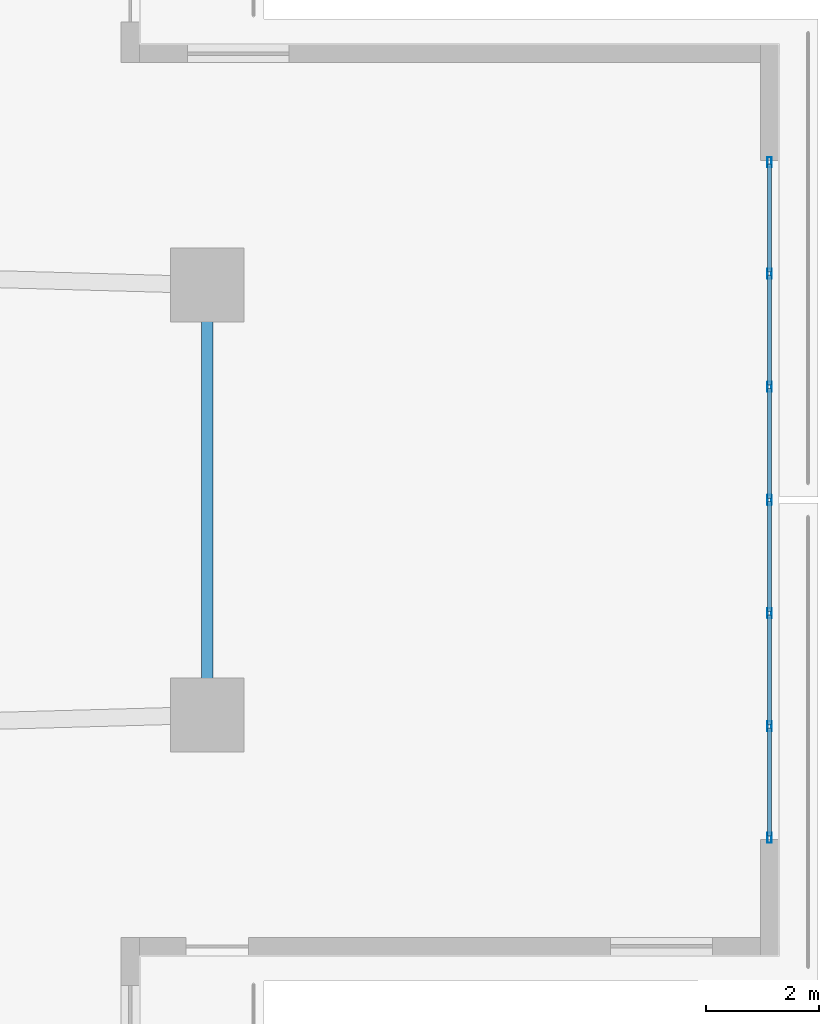
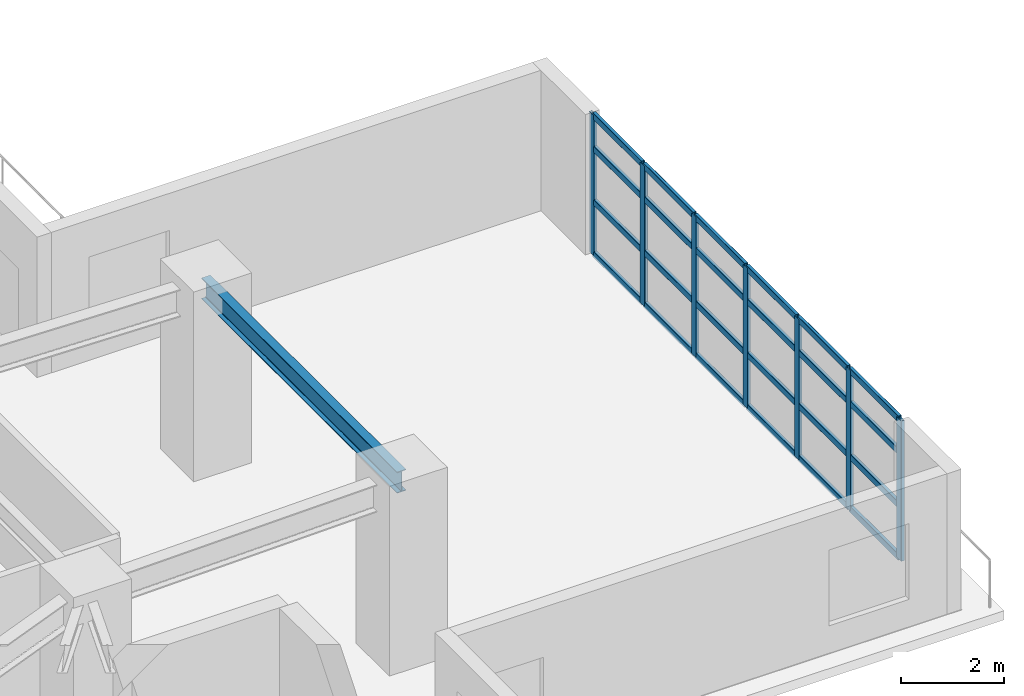
# One storey, part 11 of 24: 31 members, 1 beam, 1 element without a shape of its own.
"""IFC4 building model written with IfcOpenShell, lengths in metres."""

from ifc_helpers import new_model, si_unit, direction, frame, origin, origin_2d, place, context, subcontext, project, spatial, hollow_rectangle, i_section, extrude, material, layer, layer_set, material_profile, profile_set, type_object, element, aggregate, save


model = new_model("IFC4")

# Units and contexts
model_context = context("Model", 3, precision=1e-05, world=origin(), true_north=direction((0.0, 1.0)))
body_context = subcontext(model_context, "Body", "Model", "MODEL_VIEW")
ifc_project = project(units=[si_unit("LENGTHUNIT", "METRE"), si_unit("AREAUNIT", "SQUARE_METRE"), si_unit("VOLUMEUNIT", "CUBIC_METRE"), si_unit("PLANEANGLEUNIT", "RADIAN"), si_unit("MASSUNIT", "GRAM", prefix="KILO")], contexts=[model_context])

# Site, building, storey
site_placement = place(None, origin())
site = spatial("IfcSite", under=ifc_project, at=site_placement, CompositionType="ELEMENT")
building_placement = place(site_placement, origin())
building = spatial("IfcBuilding", under=site, at=building_placement, Name="Qingluan Cross Belvedere", CompositionType="ELEMENT")
storey_placement = place(building_placement, frame((0.0, 0.0, 14.699951171875)))
storey = spatial("IfcBuildingStorey", under=building, at=storey_placement, Name="L04", CompositionType="ELEMENT", Elevation=14.699951171875)

# Curtain wall, members
ifc_material_1 = material(Name="Thermally broken aluminium and Low-E glass", Category="aluminium")
ifc_layer = layer(ifc_material_1, 0.219970703125, Name="UnitisedCW_BallroomFoyer")
ifc_layer_set = layer_set([ifc_layer], Name="Thermally broken aluminium and Low-E glass")
curtain_wall_type = type_object("IfcCurtainWallType", Name="UnitisedCW_BallroomFoyer", PredefinedType="USERDEFINED", material=ifc_layer_set)
curtain_wall_placement = place(storey_placement, origin())
curtain_wall = element("IfcCurtainWall", 1, at=curtain_wall_placement, inside=storey, type_object=curtain_wall_type, Name="UnitisedCW_BallroomFoyer run env:cw:L04:E", ObjectType="UNITISED CURTAIN WALL", PredefinedType="USERDEFINED")
ifc_material_2 = material(Name="Aluminium alloy 6063-T6", Category="aluminium")
ifc_material_profile_1 = material_profile(ifc_material_2, hollow_rectangle(XDim=0.074951171875, YDim=0.179931640625, WallThickness=0.00390625, InnerFilletRadius=0.00390625, OuterFilletRadius=0.008056640625, at=origin_2d()), Name="CWM180x75x4")
ifc_profile_set_1 = profile_set([ifc_material_profile_1], Name="Aluminium alloy 6063-T6")
member_type_1 = type_object("IfcMemberType", Name="CWMullion_180", PredefinedType="MULLION", material=ifc_profile_set_1)
member_1_placement = place(storey_placement, frame((36.93994140625, 5.969970703125, 0.0), z_axis=(0.0, 0.0, 1.0), x_axis=(1.0, 0.0, 0.0)))
member_1 = element("IfcMember", 2, at=member_1_placement, type_object=member_type_1, Name="CW-P2 mullion 1", PredefinedType="MULLION", context=body_context, shape_type="SweptSolid", body=[
    extrude(hollow_rectangle(XDim=0.074951171875, YDim=0.179931640625, WallThickness=0.00390625, InnerFilletRadius=0.00390625, OuterFilletRadius=0.008056640625, at=origin_2d()), origin(), (0.0, 0.0, 1.0), 3.330078125),
])
member_2_placement = place(storey_placement, frame((36.93994140625, 4.0, 0.0), z_axis=(0.0, 0.0, 1.0), x_axis=(1.0, 0.0, 0.0)))
member_2 = element("IfcMember", 3, at=member_2_placement, type_object=member_type_1, Name="CW-P2 mullion 2", PredefinedType="MULLION", context=body_context, shape_type="SweptSolid", body=[
    extrude(hollow_rectangle(XDim=0.074951171875, YDim=0.179931640625, WallThickness=0.00390625, InnerFilletRadius=0.00390625, OuterFilletRadius=0.008056640625, at=origin_2d()), origin(), (0.0, 0.0, 1.0), 3.330078125),
])
member_3_placement = place(storey_placement, frame((36.93994140625, 2.0, 0.0), z_axis=(0.0, 0.0, 1.0), x_axis=(1.0, 0.0, 0.0)))
member_3 = element("IfcMember", 4, at=member_3_placement, type_object=member_type_1, Name="CW-P2 mullion 3", PredefinedType="MULLION", context=body_context, shape_type="SweptSolid", body=[
    extrude(hollow_rectangle(XDim=0.074951171875, YDim=0.179931640625, WallThickness=0.00390625, InnerFilletRadius=0.00390625, OuterFilletRadius=0.008056640625, at=origin_2d()), origin(), (0.0, 0.0, 1.0), 3.330078125),
])
member_4_placement = place(storey_placement, frame((36.93994140625, 0.0, 0.0), z_axis=(0.0, 0.0, 1.0), x_axis=(1.0, 0.0, 0.0)))
member_4 = element("IfcMember", 5, at=member_4_placement, type_object=member_type_1, Name="CW-P2 mullion 4", PredefinedType="MULLION", context=body_context, shape_type="SweptSolid", body=[
    extrude(hollow_rectangle(XDim=0.074951171875, YDim=0.179931640625, WallThickness=0.00390625, InnerFilletRadius=0.00390625, OuterFilletRadius=0.008056640625, at=origin_2d()), origin(), (0.0, 0.0, 1.0), 3.330078125),
])
member_5_placement = place(storey_placement, frame((36.93994140625, -2.0, 0.0), z_axis=(0.0, 0.0, 1.0), x_axis=(1.0, 0.0, 0.0)))
member_5 = element("IfcMember", 6, at=member_5_placement, type_object=member_type_1, Name="CW-P2 mullion 5", PredefinedType="MULLION", context=body_context, shape_type="SweptSolid", body=[
    extrude(hollow_rectangle(XDim=0.074951171875, YDim=0.179931640625, WallThickness=0.00390625, InnerFilletRadius=0.00390625, OuterFilletRadius=0.008056640625, at=origin_2d()), origin(), (0.0, 0.0, 1.0), 3.330078125),
])
member_6_placement = place(storey_placement, frame((36.93994140625, -4.0, 0.0), z_axis=(0.0, 0.0, 1.0), x_axis=(1.0, 0.0, 0.0)))
member_6 = element("IfcMember", 7, at=member_6_placement, type_object=member_type_1, Name="CW-P2 mullion 6", PredefinedType="MULLION", context=body_context, shape_type="SweptSolid", body=[
    extrude(hollow_rectangle(XDim=0.074951171875, YDim=0.179931640625, WallThickness=0.00390625, InnerFilletRadius=0.00390625, OuterFilletRadius=0.008056640625, at=origin_2d()), origin(), (0.0, 0.0, 1.0), 3.330078125),
])
member_7_placement = place(storey_placement, frame((36.93994140625, -5.969970703125, 0.0), z_axis=(0.0, 0.0, 1.0), x_axis=(1.0, 0.0, 0.0)))
member_7 = element("IfcMember", 8, at=member_7_placement, type_object=member_type_1, Name="CW-P2 mullion 7", PredefinedType="MULLION", context=body_context, shape_type="SweptSolid", body=[
    extrude(hollow_rectangle(XDim=0.074951171875, YDim=0.179931640625, WallThickness=0.00390625, InnerFilletRadius=0.00390625, OuterFilletRadius=0.008056640625, at=origin_2d()), origin(), (0.0, 0.0, 1.0), 3.330078125),
])
ifc_material_3 = material(Name="Aluminium alloy 6063-T6", Category="aluminium")
ifc_material_profile_2 = material_profile(ifc_material_3, hollow_rectangle(XDim=0.074951171875, YDim=0.14990234375, WallThickness=0.00390625, InnerFilletRadius=0.00390625, OuterFilletRadius=0.008056640625, at=origin_2d()), Name="CWT150x75x4")
ifc_profile_set_2 = profile_set([ifc_material_profile_2], Name="Aluminium alloy 6063-T6")
member_type_2 = type_object("IfcMemberType", Name="CWTransom_150", PredefinedType="USERDEFINED", material=ifc_profile_set_2)
member_8_placement = place(storey_placement, frame((36.93994140625, 5.93994140625, 0.030029296875), z_axis=(0.0, -1.0, 0.0), x_axis=(1.0, 0.0, 0.0)))
member_8 = element("IfcMember", 9, at=member_8_placement, type_object=member_type_2, Name="CW-P2 transom 1.1", ObjectType="TRANSOM", PredefinedType="USERDEFINED", context=body_context, shape_type="SweptSolid", body=[
    extrude(hollow_rectangle(XDim=0.074951171875, YDim=0.14990234375, WallThickness=0.00390625, InnerFilletRadius=0.00390625, OuterFilletRadius=0.008056640625, at=origin_2d()), origin(), (0.0, 0.0, 1.0), 1.909912109375),
])
member_9_placement = place(storey_placement, frame((36.93994140625, 5.93994140625, 1.26513671875), z_axis=(0.0, -1.0, 0.0), x_axis=(1.0, 0.0, 0.0)))
member_9 = element("IfcMember", 10, at=member_9_placement, type_object=member_type_2, Name="CW-P2 transom 1.2", ObjectType="TRANSOM", PredefinedType="USERDEFINED", context=body_context, shape_type="SweptSolid", body=[
    extrude(hollow_rectangle(XDim=0.074951171875, YDim=0.14990234375, WallThickness=0.00390625, InnerFilletRadius=0.00390625, OuterFilletRadius=0.008056640625, at=origin_2d()), origin(), (0.0, 0.0, 1.0), 1.909912109375),
])
member_10_placement = place(storey_placement, frame((36.93994140625, 5.93994140625, 2.531005859375), z_axis=(0.0, -1.0, 0.0), x_axis=(1.0, 0.0, 0.0)))
member_10 = element("IfcMember", 11, at=member_10_placement, type_object=member_type_2, Name="CW-P2 transom 1.3", ObjectType="TRANSOM", PredefinedType="USERDEFINED", context=body_context, shape_type="SweptSolid", body=[
    extrude(hollow_rectangle(XDim=0.074951171875, YDim=0.14990234375, WallThickness=0.00390625, InnerFilletRadius=0.00390625, OuterFilletRadius=0.008056640625, at=origin_2d()), origin(), (0.0, 0.0, 1.0), 1.909912109375),
])
member_11_placement = place(storey_placement, frame((36.93994140625, 5.93994140625, 3.300048828125), z_axis=(0.0, -1.0, 0.0), x_axis=(1.0, 0.0, 0.0)))
member_11 = element("IfcMember", 12, at=member_11_placement, type_object=member_type_2, Name="CW-P2 transom 1.4", ObjectType="TRANSOM", PredefinedType="USERDEFINED", context=body_context, shape_type="SweptSolid", body=[
    extrude(hollow_rectangle(XDim=0.074951171875, YDim=0.14990234375, WallThickness=0.00390625, InnerFilletRadius=0.00390625, OuterFilletRadius=0.008056640625, at=origin_2d()), origin(), (0.0, 0.0, 1.0), 1.909912109375),
])
member_12_placement = place(storey_placement, frame((36.93994140625, 3.969970703125, 0.030029296875), z_axis=(0.0, -1.0, 0.0), x_axis=(1.0, 0.0, 0.0)))
member_12 = element("IfcMember", 13, at=member_12_placement, type_object=member_type_2, Name="CW-P2 transom 2.1", ObjectType="TRANSOM", PredefinedType="USERDEFINED", context=body_context, shape_type="SweptSolid", body=[
    extrude(hollow_rectangle(XDim=0.074951171875, YDim=0.14990234375, WallThickness=0.00390625, InnerFilletRadius=0.00390625, OuterFilletRadius=0.008056640625, at=origin_2d()), origin(), (0.0, 0.0, 1.0), 1.93994140625),
])
member_13_placement = place(storey_placement, frame((36.93994140625, 3.969970703125, 1.26513671875), z_axis=(0.0, -1.0, 0.0), x_axis=(1.0, 0.0, 0.0)))
member_13 = element("IfcMember", 14, at=member_13_placement, type_object=member_type_2, Name="CW-P2 transom 2.2", ObjectType="TRANSOM", PredefinedType="USERDEFINED", context=body_context, shape_type="SweptSolid", body=[
    extrude(hollow_rectangle(XDim=0.074951171875, YDim=0.14990234375, WallThickness=0.00390625, InnerFilletRadius=0.00390625, OuterFilletRadius=0.008056640625, at=origin_2d()), origin(), (0.0, 0.0, 1.0), 1.93994140625),
])
member_14_placement = place(storey_placement, frame((36.93994140625, 3.969970703125, 2.531005859375), z_axis=(0.0, -1.0, 0.0), x_axis=(1.0, 0.0, 0.0)))
member_14 = element("IfcMember", 15, at=member_14_placement, type_object=member_type_2, Name="CW-P2 transom 2.3", ObjectType="TRANSOM", PredefinedType="USERDEFINED", context=body_context, shape_type="SweptSolid", body=[
    extrude(hollow_rectangle(XDim=0.074951171875, YDim=0.14990234375, WallThickness=0.00390625, InnerFilletRadius=0.00390625, OuterFilletRadius=0.008056640625, at=origin_2d()), origin(), (0.0, 0.0, 1.0), 1.93994140625),
])
member_15_placement = place(storey_placement, frame((36.93994140625, 3.969970703125, 3.300048828125), z_axis=(0.0, -1.0, 0.0), x_axis=(1.0, 0.0, 0.0)))
member_15 = element("IfcMember", 16, at=member_15_placement, type_object=member_type_2, Name="CW-P2 transom 2.4", ObjectType="TRANSOM", PredefinedType="USERDEFINED", context=body_context, shape_type="SweptSolid", body=[
    extrude(hollow_rectangle(XDim=0.074951171875, YDim=0.14990234375, WallThickness=0.00390625, InnerFilletRadius=0.00390625, OuterFilletRadius=0.008056640625, at=origin_2d()), origin(), (0.0, 0.0, 1.0), 1.93994140625),
])
member_16_placement = place(storey_placement, frame((36.93994140625, 1.969970703125, 0.030029296875), z_axis=(0.0, -1.0, 0.0), x_axis=(1.0, 0.0, 0.0)))
member_16 = element("IfcMember", 17, at=member_16_placement, type_object=member_type_2, Name="CW-P2 transom 3.1", ObjectType="TRANSOM", PredefinedType="USERDEFINED", context=body_context, shape_type="SweptSolid", body=[
    extrude(hollow_rectangle(XDim=0.074951171875, YDim=0.14990234375, WallThickness=0.00390625, InnerFilletRadius=0.00390625, OuterFilletRadius=0.008056640625, at=origin_2d()), origin(), (0.0, 0.0, 1.0), 1.93994140625),
])
member_17_placement = place(storey_placement, frame((36.93994140625, 1.969970703125, 1.26513671875), z_axis=(0.0, -1.0, 0.0), x_axis=(1.0, 0.0, 0.0)))
member_17 = element("IfcMember", 18, at=member_17_placement, type_object=member_type_2, Name="CW-P2 transom 3.2", ObjectType="TRANSOM", PredefinedType="USERDEFINED", context=body_context, shape_type="SweptSolid", body=[
    extrude(hollow_rectangle(XDim=0.074951171875, YDim=0.14990234375, WallThickness=0.00390625, InnerFilletRadius=0.00390625, OuterFilletRadius=0.008056640625, at=origin_2d()), origin(), (0.0, 0.0, 1.0), 1.93994140625),
])
member_18_placement = place(storey_placement, frame((36.93994140625, 1.969970703125, 2.531005859375), z_axis=(0.0, -1.0, 0.0), x_axis=(1.0, 0.0, 0.0)))
member_18 = element("IfcMember", 19, at=member_18_placement, type_object=member_type_2, Name="CW-P2 transom 3.3", ObjectType="TRANSOM", PredefinedType="USERDEFINED", context=body_context, shape_type="SweptSolid", body=[
    extrude(hollow_rectangle(XDim=0.074951171875, YDim=0.14990234375, WallThickness=0.00390625, InnerFilletRadius=0.00390625, OuterFilletRadius=0.008056640625, at=origin_2d()), origin(), (0.0, 0.0, 1.0), 1.93994140625),
])
member_19_placement = place(storey_placement, frame((36.93994140625, 1.969970703125, 3.300048828125), z_axis=(0.0, -1.0, 0.0), x_axis=(1.0, 0.0, 0.0)))
member_19 = element("IfcMember", 20, at=member_19_placement, type_object=member_type_2, Name="CW-P2 transom 3.4", ObjectType="TRANSOM", PredefinedType="USERDEFINED", context=body_context, shape_type="SweptSolid", body=[
    extrude(hollow_rectangle(XDim=0.074951171875, YDim=0.14990234375, WallThickness=0.00390625, InnerFilletRadius=0.00390625, OuterFilletRadius=0.008056640625, at=origin_2d()), origin(), (0.0, 0.0, 1.0), 1.93994140625),
])
member_20_placement = place(storey_placement, frame((36.93994140625, -0.030029296875, 0.030029296875), z_axis=(0.0, -1.0, 0.0), x_axis=(1.0, 0.0, 0.0)))
member_20 = element("IfcMember", 21, at=member_20_placement, type_object=member_type_2, Name="CW-P2 transom 4.1", ObjectType="TRANSOM", PredefinedType="USERDEFINED", context=body_context, shape_type="SweptSolid", body=[
    extrude(hollow_rectangle(XDim=0.074951171875, YDim=0.14990234375, WallThickness=0.00390625, InnerFilletRadius=0.00390625, OuterFilletRadius=0.008056640625, at=origin_2d()), origin(), (0.0, 0.0, 1.0), 1.93994140625),
])
member_21_placement = place(storey_placement, frame((36.93994140625, -0.030029296875, 1.26513671875), z_axis=(0.0, -1.0, 0.0), x_axis=(1.0, 0.0, 0.0)))
member_21 = element("IfcMember", 22, at=member_21_placement, type_object=member_type_2, Name="CW-P2 transom 4.2", ObjectType="TRANSOM", PredefinedType="USERDEFINED", context=body_context, shape_type="SweptSolid", body=[
    extrude(hollow_rectangle(XDim=0.074951171875, YDim=0.14990234375, WallThickness=0.00390625, InnerFilletRadius=0.00390625, OuterFilletRadius=0.008056640625, at=origin_2d()), origin(), (0.0, 0.0, 1.0), 1.93994140625),
])
member_22_placement = place(storey_placement, frame((36.93994140625, -0.030029296875, 2.531005859375), z_axis=(0.0, -1.0, 0.0), x_axis=(1.0, 0.0, 0.0)))
member_22 = element("IfcMember", 23, at=member_22_placement, type_object=member_type_2, Name="CW-P2 transom 4.3", ObjectType="TRANSOM", PredefinedType="USERDEFINED", context=body_context, shape_type="SweptSolid", body=[
    extrude(hollow_rectangle(XDim=0.074951171875, YDim=0.14990234375, WallThickness=0.00390625, InnerFilletRadius=0.00390625, OuterFilletRadius=0.008056640625, at=origin_2d()), origin(), (0.0, 0.0, 1.0), 1.93994140625),
])
member_23_placement = place(storey_placement, frame((36.93994140625, -0.030029296875, 3.300048828125), z_axis=(0.0, -1.0, 0.0), x_axis=(1.0, 0.0, 0.0)))
member_23 = element("IfcMember", 24, at=member_23_placement, type_object=member_type_2, Name="CW-P2 transom 4.4", ObjectType="TRANSOM", PredefinedType="USERDEFINED", context=body_context, shape_type="SweptSolid", body=[
    extrude(hollow_rectangle(XDim=0.074951171875, YDim=0.14990234375, WallThickness=0.00390625, InnerFilletRadius=0.00390625, OuterFilletRadius=0.008056640625, at=origin_2d()), origin(), (0.0, 0.0, 1.0), 1.93994140625),
])
member_24_placement = place(storey_placement, frame((36.93994140625, -2.030029296875, 0.030029296875), z_axis=(0.0, -1.0, 0.0), x_axis=(1.0, 0.0, 0.0)))
member_24 = element("IfcMember", 25, at=member_24_placement, type_object=member_type_2, Name="CW-P2 transom 5.1", ObjectType="TRANSOM", PredefinedType="USERDEFINED", context=body_context, shape_type="SweptSolid", body=[
    extrude(hollow_rectangle(XDim=0.074951171875, YDim=0.14990234375, WallThickness=0.00390625, InnerFilletRadius=0.00390625, OuterFilletRadius=0.008056640625, at=origin_2d()), origin(), (0.0, 0.0, 1.0), 1.93994140625),
])
member_25_placement = place(storey_placement, frame((36.93994140625, -2.030029296875, 1.26513671875), z_axis=(0.0, -1.0, 0.0), x_axis=(1.0, 0.0, 0.0)))
member_25 = element("IfcMember", 26, at=member_25_placement, type_object=member_type_2, Name="CW-P2 transom 5.2", ObjectType="TRANSOM", PredefinedType="USERDEFINED", context=body_context, shape_type="SweptSolid", body=[
    extrude(hollow_rectangle(XDim=0.074951171875, YDim=0.14990234375, WallThickness=0.00390625, InnerFilletRadius=0.00390625, OuterFilletRadius=0.008056640625, at=origin_2d()), origin(), (0.0, 0.0, 1.0), 1.93994140625),
])
member_26_placement = place(storey_placement, frame((36.93994140625, -2.030029296875, 2.531005859375), z_axis=(0.0, -1.0, 0.0), x_axis=(1.0, 0.0, 0.0)))
member_26 = element("IfcMember", 27, at=member_26_placement, type_object=member_type_2, Name="CW-P2 transom 5.3", ObjectType="TRANSOM", PredefinedType="USERDEFINED", context=body_context, shape_type="SweptSolid", body=[
    extrude(hollow_rectangle(XDim=0.074951171875, YDim=0.14990234375, WallThickness=0.00390625, InnerFilletRadius=0.00390625, OuterFilletRadius=0.008056640625, at=origin_2d()), origin(), (0.0, 0.0, 1.0), 1.93994140625),
])
member_27_placement = place(storey_placement, frame((36.93994140625, -2.030029296875, 3.300048828125), z_axis=(0.0, -1.0, 0.0), x_axis=(1.0, 0.0, 0.0)))
member_27 = element("IfcMember", 28, at=member_27_placement, type_object=member_type_2, Name="CW-P2 transom 5.4", ObjectType="TRANSOM", PredefinedType="USERDEFINED", context=body_context, shape_type="SweptSolid", body=[
    extrude(hollow_rectangle(XDim=0.074951171875, YDim=0.14990234375, WallThickness=0.00390625, InnerFilletRadius=0.00390625, OuterFilletRadius=0.008056640625, at=origin_2d()), origin(), (0.0, 0.0, 1.0), 1.93994140625),
])
member_28_placement = place(storey_placement, frame((36.93994140625, -4.030029296875, 0.030029296875), z_axis=(0.0, -1.0, 0.0), x_axis=(1.0, 0.0, 0.0)))
member_28 = element("IfcMember", 29, at=member_28_placement, type_object=member_type_2, Name="CW-P2 transom 6.1", ObjectType="TRANSOM", PredefinedType="USERDEFINED", context=body_context, shape_type="SweptSolid", body=[
    extrude(hollow_rectangle(XDim=0.074951171875, YDim=0.14990234375, WallThickness=0.00390625, InnerFilletRadius=0.00390625, OuterFilletRadius=0.008056640625, at=origin_2d()), origin(), (0.0, 0.0, 1.0), 1.909912109375),
])
member_29_placement = place(storey_placement, frame((36.93994140625, -4.030029296875, 1.26513671875), z_axis=(0.0, -1.0, 0.0), x_axis=(1.0, 0.0, 0.0)))
member_29 = element("IfcMember", 30, at=member_29_placement, type_object=member_type_2, Name="CW-P2 transom 6.2", ObjectType="TRANSOM", PredefinedType="USERDEFINED", context=body_context, shape_type="SweptSolid", body=[
    extrude(hollow_rectangle(XDim=0.074951171875, YDim=0.14990234375, WallThickness=0.00390625, InnerFilletRadius=0.00390625, OuterFilletRadius=0.008056640625, at=origin_2d()), origin(), (0.0, 0.0, 1.0), 1.909912109375),
])
member_30_placement = place(storey_placement, frame((36.93994140625, -4.030029296875, 2.531005859375), z_axis=(0.0, -1.0, 0.0), x_axis=(1.0, 0.0, 0.0)))
member_30 = element("IfcMember", 31, at=member_30_placement, type_object=member_type_2, Name="CW-P2 transom 6.3", ObjectType="TRANSOM", PredefinedType="USERDEFINED", context=body_context, shape_type="SweptSolid", body=[
    extrude(hollow_rectangle(XDim=0.074951171875, YDim=0.14990234375, WallThickness=0.00390625, InnerFilletRadius=0.00390625, OuterFilletRadius=0.008056640625, at=origin_2d()), origin(), (0.0, 0.0, 1.0), 1.909912109375),
])
member_31_placement = place(storey_placement, frame((36.93994140625, -4.030029296875, 3.300048828125), z_axis=(0.0, -1.0, 0.0), x_axis=(1.0, 0.0, 0.0)))
member_31 = element("IfcMember", 32, at=member_31_placement, type_object=member_type_2, Name="CW-P2 transom 6.4", ObjectType="TRANSOM", PredefinedType="USERDEFINED", context=body_context, shape_type="SweptSolid", body=[
    extrude(hollow_rectangle(XDim=0.074951171875, YDim=0.14990234375, WallThickness=0.00390625, InnerFilletRadius=0.00390625, OuterFilletRadius=0.008056640625, at=origin_2d()), origin(), (0.0, 0.0, 1.0), 1.909912109375),
])
aggregate(curtain_wall, [member_1, member_2, member_3, member_4, member_5, member_6, member_7, member_8, member_9, member_10, member_11, member_12, member_13, member_14, member_15, member_16, member_17, member_18, member_19, member_20, member_21, member_22, member_23, member_24, member_25, member_26, member_27, member_28, member_29, member_30, member_31])

# Beam
ifc_material_4 = material(Name="Steel Q420GJB", Category="steel")
ifc_material_profile_3 = material_profile(ifc_material_4, i_section(OverallWidth=0.199951171875, OverallDepth=0.5, WebThickness=0.010009765625, FlangeThickness=0.01611328125, FilletRadius=0.01611328125, at=origin_2d()), Name="HN500x200x10x16")
ifc_profile_set_3 = profile_set([ifc_material_profile_3], Name="Steel Q420GJB")
beam_type = type_object("IfcBeamType", Name="Steel_Beam_HN500x200x10x16", PredefinedType="JOIST", material=ifc_profile_set_3)
beam_placement = place(storey_placement, frame((27.0, -3.800048828125, 4.0), z_axis=(0.0, 1.0, 0.0), x_axis=(-1.0, 0.0, 0.0)))
element("IfcBeam", 33, at=beam_placement, inside=storey, type_object=beam_type, Name="Arm E tip transverse beam L04", PredefinedType="JOIST", context=body_context, shape_type="SweptSolid", body=[
    extrude(i_section(OverallWidth=0.199951171875, OverallDepth=0.5, WebThickness=0.010009765625, FlangeThickness=0.01611328125, FilletRadius=0.01611328125, at=origin_2d()), origin(), (0.0, 0.0, 1.0), 7.60009765625),
])

save(model, "model.ifc")
